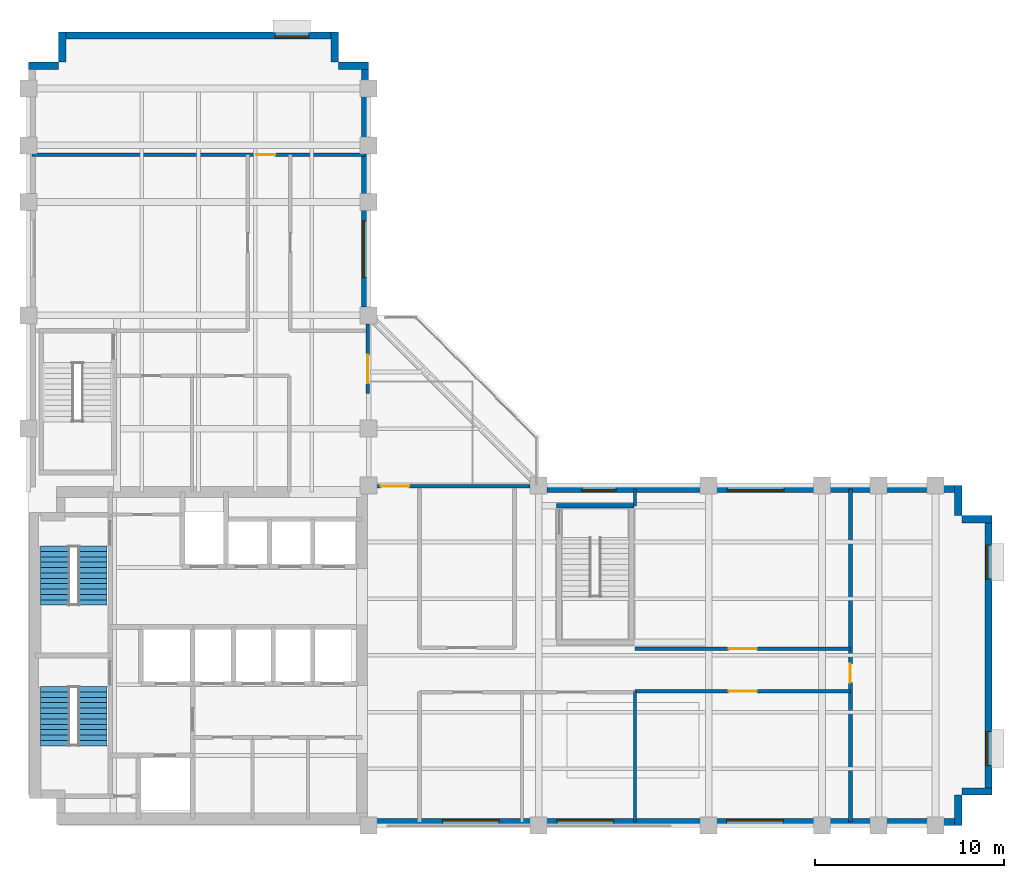
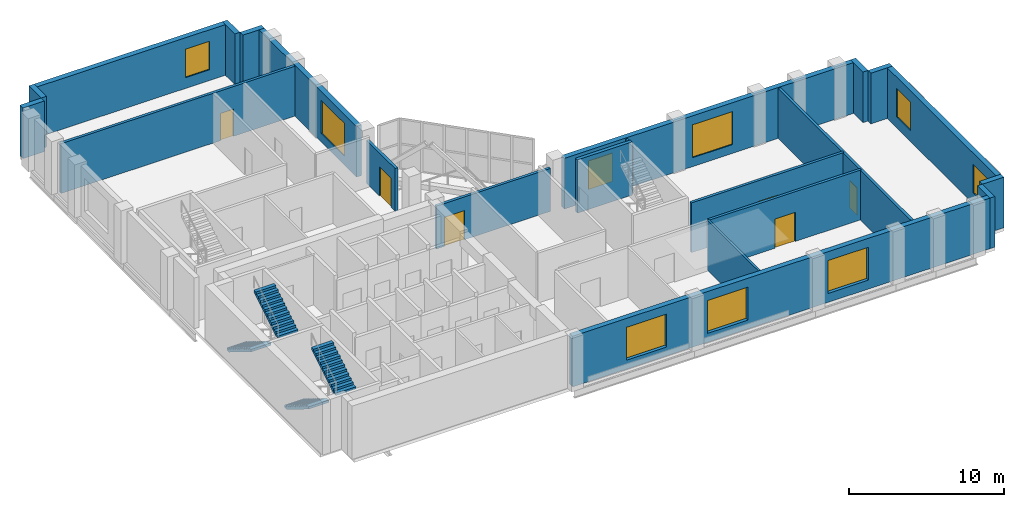
# One storey, part 7 of 9: 22 walls, 9 windows, 6 doors, 4 stair flights, 15 openings, 2 elements without a shape of their own.
"""IFC4 building model written with IfcOpenShell, lengths in metres."""

from ifc_helpers import new_model, si_unit, direction, frame, frame_2d, origin, place, context, subcontext, project, spatial, polyline, rectangle, outline, extrude, material, layer, layer_set, type_object, element, fill, aggregate, save


model = new_model("IFC4")

# Units and contexts
model_context = context("Model", 3, precision=1e-05, world=origin(), true_north=direction((0.0, 1.0)))
body_context = subcontext(model_context, "Body", "Model", "MODEL_VIEW")
ifc_project = project(units=[si_unit("LENGTHUNIT", "METRE"), si_unit("AREAUNIT", "SQUARE_METRE"), si_unit("VOLUMEUNIT", "CUBIC_METRE"), si_unit("PLANEANGLEUNIT", "RADIAN"), si_unit("MASSUNIT", "GRAM", prefix="KILO")], contexts=[model_context])

# Site, building, storey
site_placement = place(None, origin())
site = spatial("IfcSite", under=ifc_project, at=site_placement, CompositionType="ELEMENT")
building_placement = place(site_placement, origin())
building = spatial("IfcBuilding", under=site, at=building_placement, Name="Mawjdan Bourse Tower", CompositionType="ELEMENT")
storey_placement = place(building_placement, frame((0.0, 0.0, 160.199951171875)))
storey = spatial("IfcBuildingStorey", under=building, at=storey_placement, Name="L38", CompositionType="ELEMENT", Elevation=160.199951171875)

# Wall, openings, windows
ifc_material_1 = material(Name="Brick Masonry Terracotta Red", Category="masonry")
ifc_layer_1 = layer(ifc_material_1, 0.3798828125)
ifc_layer_set_1 = layer_set([ifc_layer_1], Name="Brick Masonry Terracotta Red")
wall_type_1 = type_object("IfcWallType", Name="WL-BRK-RED-380", PredefinedType="STANDARD", material=ifc_layer_set_1)
wall_1_placement = place(storey_placement, frame((23.89990234375, 3.18994140625, 0.0), z_axis=(0.0, 0.0, 1.0), x_axis=(1.0, 0.0, 0.0)))
wall_1 = element("IfcWall", 1, at=wall_1_placement, inside=storey, type_object=wall_type_1, Name="L38 Exterior Brick Wall 1", PredefinedType="STANDARD", context=body_context, shape_type="SweptSolid", body=[
    extrude(rectangle(XDim=31.5, YDim=0.3798828125, at=frame_2d((15.75, 0.0))), origin(), (0.0, 0.0, 1.0), 4.0),
])
opening_1_placement = place(wall_1_placement, frame((4.013916015625, 0.0, 0.699951171875)))
opening_1 = element("IfcOpeningElement", 2, at=opening_1_placement, cuts=wall_1, Name="Opening W-L38-05", PredefinedType="OPENING", context=body_context, shape_type="SweptSolid", body=[
    extrude(rectangle(XDim=3.0, YDim=2.60009765625, at=frame_2d((1.5, 1.300048828125))), frame((0.0, 0.199951171875, 0.0), z_axis=(0.0, -1.0, 0.0), x_axis=(1.0, 0.0, 0.0)), (0.0, 0.0, 1.0), 0.39990234375),
])
opening_2_placement = place(wall_1_placement, frame((10.063720703125, 0.0, 0.699951171875)))
opening_2 = element("IfcOpeningElement", 3, at=opening_2_placement, cuts=wall_1, Name="Opening W-L38-06", PredefinedType="OPENING", context=body_context, shape_type="SweptSolid", body=[
    extrude(rectangle(XDim=3.0, YDim=2.60009765625, at=frame_2d((1.5, 1.300048828125))), frame((0.0, 0.199951171875, 0.0), z_axis=(0.0, -1.0, 0.0), x_axis=(1.0, 0.0, 0.0)), (0.0, 0.0, 1.0), 0.39990234375),
])
opening_3_placement = place(wall_1_placement, frame((19.054443359375, 0.0, 0.699951171875)))
opening_3 = element("IfcOpeningElement", 4, at=opening_3_placement, cuts=wall_1, Name="Opening W-L38-07", PredefinedType="OPENING", context=body_context, shape_type="SweptSolid", body=[
    extrude(rectangle(XDim=3.0, YDim=2.60009765625, at=frame_2d((1.5, 1.300048828125))), frame((0.0, 0.199951171875, 0.0), z_axis=(0.0, -1.0, 0.0), x_axis=(1.0, 0.0, 0.0)), (0.0, 0.0, 1.0), 0.39990234375),
])
ifc_material_2 = material(Name="Solar-Control Clear Double Glazing", Category="glass")
window_type_1 = type_object("IfcWindowType", Name="WN-SKY-3000", PartitioningType="SINGLE_PANEL", PredefinedType="WINDOW", material=ifc_material_2)
window_1_placement = place(opening_1_placement, origin())
window_1 = element("IfcWindow", 5, at=window_1_placement, inside=storey, type_object=window_type_1, Name="L38 Deep-Set Masonry Window W-L38-05", OverallHeight=2.60009765625, OverallWidth=3.0, PartitioningType="SINGLE_PANEL", PredefinedType="WINDOW", context=body_context, shape_type="SweptSolid", body=[
    extrude(rectangle(XDim=3.0, YDim=2.60009765625, at=frame_2d((1.5, 1.300048828125))), frame((0.0, 0.110107421875, 0.0), z_axis=(0.0, -1.0, 0.0), x_axis=(1.0, 0.0, 0.0)), (0.0, 0.0, 1.0), 0.06005859375),
])
fill(opening_1, window_1)
window_2_placement = place(opening_2_placement, origin())
window_2 = element("IfcWindow", 6, at=window_2_placement, inside=storey, type_object=window_type_1, Name="L38 Deep-Set Masonry Window W-L38-06", OverallHeight=2.60009765625, OverallWidth=3.0, PartitioningType="SINGLE_PANEL", PredefinedType="WINDOW", context=body_context, shape_type="SweptSolid", body=[
    extrude(rectangle(XDim=3.0, YDim=2.60009765625, at=frame_2d((1.5, 1.300048828125))), frame((0.0, 0.110107421875, 0.0), z_axis=(0.0, -1.0, 0.0), x_axis=(1.0, 0.0, 0.0)), (0.0, 0.0, 1.0), 0.06005859375),
])
fill(opening_2, window_2)
window_3_placement = place(opening_3_placement, origin())
window_3 = element("IfcWindow", 7, at=window_3_placement, inside=storey, type_object=window_type_1, Name="L38 Deep-Set Masonry Window W-L38-07", OverallHeight=2.60009765625, OverallWidth=3.0, PartitioningType="SINGLE_PANEL", PredefinedType="WINDOW", context=body_context, shape_type="SweptSolid", body=[
    extrude(rectangle(XDim=3.0, YDim=2.60009765625, at=frame_2d((1.5, 1.300048828125))), frame((0.0, 0.110107421875, 0.0), z_axis=(0.0, -1.0, 0.0), x_axis=(1.0, 0.0, 0.0)), (0.0, 0.0, 1.0), 0.06005859375),
])
fill(opening_3, window_3)

# Walls
for number, where, z_axis, x_axis, name in (
    (8, (55.2099609375, 3.0, 0.0), (0.0, 0.0, 1.0), (0.0, 1.0, 0.0), "L38 Exterior Brick Wall 2"),
    (9, (55.39990234375, 4.7900390625, 0.0), (0.0, 0.0, 1.0), (1.0, 0.0, 0.0), "L38 Exterior Brick Wall 3"),
):
    element("IfcWall", number, at=place(storey_placement, frame(where, z_axis=z_axis, x_axis=x_axis)), inside=storey, type_object=wall_type_1, Name=name, PredefinedType="STANDARD", context=body_context, shape_type="SweptSolid", body=[
        extrude(rectangle(XDim=1.60009765625, YDim=0.3798828125, at=frame_2d((0.800048828125, 0.0))), origin(), (0.0, 0.0, 1.0), 4.0),
    ])

# Wall, openings, windows
wall_2_placement = place(storey_placement, frame((56.81005859375, 4.60009765625, 0.0), z_axis=(0.0, 0.0, 1.0), x_axis=(0.0, 1.0, 0.0)))
wall_2 = element("IfcWall", 10, at=wall_2_placement, inside=storey, type_object=wall_type_1, Name="L38 Exterior Brick Wall 4", PredefinedType="STANDARD", context=body_context, shape_type="SweptSolid", body=[
    extrude(rectangle(XDim=14.7998046875, YDim=0.3798828125, at=frame_2d((7.39990234375, 0.0))), origin(), (0.0, 0.0, 1.0), 4.0),
])
opening_4_placement = place(wall_2_placement, frame((1.566650390625, 0.0, 0.85009765625)))
opening_4 = element("IfcOpeningElement", 11, at=opening_4_placement, cuts=wall_2, Name="Opening W-L38-01", PredefinedType="OPENING", context=body_context, shape_type="SweptSolid", body=[
    extrude(rectangle(XDim=1.800048828125, YDim=2.25, at=frame_2d((0.89990234375, 1.125))), frame((0.0, 0.199951171875, 0.0), z_axis=(0.0, -1.0, 0.0), x_axis=(1.0, 0.0, 0.0)), (0.0, 0.0, 1.0), 0.39990234375),
])
opening_5_placement = place(wall_2_placement, frame((11.433349609375, 0.0, 0.85009765625)))
opening_5 = element("IfcOpeningElement", 12, at=opening_5_placement, cuts=wall_2, Name="Opening W-L38-02", PredefinedType="OPENING", context=body_context, shape_type="SweptSolid", body=[
    extrude(rectangle(XDim=1.800048828125, YDim=2.25, at=frame_2d((0.89990234375, 1.125))), frame((0.0, 0.199951171875, 0.0), z_axis=(0.0, -1.0, 0.0), x_axis=(1.0, 0.0, 0.0)), (0.0, 0.0, 1.0), 0.39990234375),
])
window_type_2 = type_object("IfcWindowType", Name="WN-Z2-1800", PartitioningType="SINGLE_PANEL", PredefinedType="WINDOW", material=ifc_material_2)
window_4_placement = place(opening_4_placement, origin())
window_4 = element("IfcWindow", 13, at=window_4_placement, inside=storey, type_object=window_type_2, Name="L38 Deep-Set Masonry Window W-L38-01", OverallHeight=2.25, OverallWidth=1.800048828125, PartitioningType="SINGLE_PANEL", PredefinedType="WINDOW", context=body_context, shape_type="SweptSolid", body=[
    extrude(rectangle(XDim=1.800048828125, YDim=2.25, at=frame_2d((0.89990234375, 1.125))), frame((0.0, 0.110107421875, 0.0), z_axis=(0.0, -1.0, 0.0), x_axis=(1.0, 0.0, 0.0)), (0.0, 0.0, 1.0), 0.06005859375),
])
fill(opening_4, window_4)
window_5_placement = place(opening_5_placement, origin())
window_5 = element("IfcWindow", 14, at=window_5_placement, inside=storey, type_object=window_type_2, Name="L38 Deep-Set Masonry Window W-L38-02", OverallHeight=2.25, OverallWidth=1.800048828125, PartitioningType="SINGLE_PANEL", PredefinedType="WINDOW", context=body_context, shape_type="SweptSolid", body=[
    extrude(rectangle(XDim=1.800048828125, YDim=2.25, at=frame_2d((0.89990234375, 1.125))), frame((0.0, 0.110107421875, 0.0), z_axis=(0.0, -1.0, 0.0), x_axis=(1.0, 0.0, 0.0)), (0.0, 0.0, 1.0), 0.06005859375),
])
fill(opening_5, window_5)

# Walls
for number, where, z_axis, x_axis, name in (
    (15, (57.0, 19.2099609375, 0.0), (0.0, 0.0, 1.0), (-1.0, 0.0, 0.0), "L38 Exterior Brick Wall 5"),
    (16, (55.2099609375, 19.39990234375, 0.0), (0.0, 0.0, 1.0), (0.0, 1.0, 0.0), "L38 Exterior Brick Wall 6"),
):
    element("IfcWall", number, at=place(storey_placement, frame(where, z_axis=z_axis, x_axis=x_axis)), inside=storey, type_object=wall_type_1, Name=name, PredefinedType="STANDARD", context=body_context, shape_type="SweptSolid", body=[
        extrude(rectangle(XDim=1.60009765625, YDim=0.3798828125, at=frame_2d((0.800048828125, 0.0))), origin(), (0.0, 0.0, 1.0), 4.0),
    ])

# Wall, openings, windows
wall_3_placement = place(storey_placement, frame((55.39990234375, 20.81005859375, 0.0), z_axis=(0.0, 0.0, 1.0), x_axis=(-1.0, 0.0, 0.0)))
wall_3 = element("IfcWall", 17, at=wall_3_placement, inside=storey, type_object=wall_type_1, Name="L38 Exterior Brick Wall 7", PredefinedType="STANDARD", context=body_context, shape_type="SweptSolid", body=[
    extrude(rectangle(XDim=21.949951171875, YDim=0.3798828125, at=frame_2d((10.97509765625, 0.0))), origin(), (0.0, 0.0, 1.0), 4.0),
])
opening_6_placement = place(wall_3_placement, frame((18.30615234375, 0.0, 0.85009765625)))
opening_6 = element("IfcOpeningElement", 18, at=opening_6_placement, cuts=wall_3, Name="Opening W-L38-03", PredefinedType="OPENING", context=body_context, shape_type="SweptSolid", body=[
    extrude(rectangle(XDim=1.800048828125, YDim=2.25, at=frame_2d((0.89990234375, 1.125))), frame((0.0, 0.199951171875, 0.0), z_axis=(0.0, -1.0, 0.0), x_axis=(1.0, 0.0, 0.0)), (0.0, 0.0, 1.0), 0.39990234375),
])
opening_7_placement = place(wall_3_placement, frame((9.404296875, 0.0, 0.699951171875)))
opening_7 = element("IfcOpeningElement", 19, at=opening_7_placement, cuts=wall_3, Name="Opening W-L38-08", PredefinedType="OPENING", context=body_context, shape_type="SweptSolid", body=[
    extrude(rectangle(XDim=3.0, YDim=2.60009765625, at=frame_2d((1.5, 1.300048828125))), frame((0.0, 0.199951171875, 0.0), z_axis=(0.0, -1.0, 0.0), x_axis=(1.0, 0.0, 0.0)), (0.0, 0.0, 1.0), 0.39990234375),
])
window_6_placement = place(opening_7_placement, origin())
window_6 = element("IfcWindow", 20, at=window_6_placement, inside=storey, type_object=window_type_1, Name="L38 Deep-Set Masonry Window W-L38-08", OverallHeight=2.60009765625, OverallWidth=3.0, PartitioningType="SINGLE_PANEL", PredefinedType="WINDOW", context=body_context, shape_type="SweptSolid", body=[
    extrude(rectangle(XDim=3.0, YDim=2.60009765625, at=frame_2d((1.5, 1.300048828125))), frame((0.0, 0.110107421875, 0.0), z_axis=(0.0, -1.0, 0.0), x_axis=(1.0, 0.0, 0.0)), (0.0, 0.0, 1.0), 0.06005859375),
])
fill(opening_7, window_6)
window_7_placement = place(opening_6_placement, origin())
window_7 = element("IfcWindow", 21, at=window_7_placement, inside=storey, type_object=window_type_2, Name="L38 Deep-Set Masonry Window W-L38-03", OverallHeight=2.25, OverallWidth=1.800048828125, PartitioningType="SINGLE_PANEL", PredefinedType="WINDOW", context=body_context, shape_type="SweptSolid", body=[
    extrude(rectangle(XDim=1.800048828125, YDim=2.25, at=frame_2d((0.89990234375, 1.125))), frame((0.0, 0.110107421875, 0.0), z_axis=(0.0, -1.0, 0.0), x_axis=(1.0, 0.0, 0.0)), (0.0, 0.0, 1.0), 0.06005859375),
])
fill(opening_6, window_7)

# Wall, opening, window
wall_4_placement = place(storey_placement, frame((23.81005859375, 30.449951171875, 0.0), z_axis=(0.0, 0.0, 1.0), x_axis=(0.0, 1.0, 0.0)))
wall_4 = element("IfcWall", 22, at=wall_4_placement, inside=storey, type_object=wall_type_1, Name="L38 Exterior Brick Wall 8", PredefinedType="STANDARD", context=body_context, shape_type="SweptSolid", body=[
    extrude(rectangle(XDim=12.949951171875, YDim=0.3798828125, at=frame_2d((6.47509765625, 0.0))), origin(), (0.0, 0.0, 1.0), 4.0),
])
opening_8_placement = place(wall_4_placement, frame((1.550048828125, 0.0, 0.699951171875)))
opening_8 = element("IfcOpeningElement", 23, at=opening_8_placement, cuts=wall_4, Name="Opening W-L38-10", PredefinedType="OPENING", context=body_context, shape_type="SweptSolid", body=[
    extrude(rectangle(XDim=3.0, YDim=2.60009765625, at=frame_2d((1.5, 1.300048828125))), frame((0.0, 0.199951171875, 0.0), z_axis=(0.0, -1.0, 0.0), x_axis=(1.0, 0.0, 0.0)), (0.0, 0.0, 1.0), 0.39990234375),
])
window_8_placement = place(opening_8_placement, origin())
window_8 = element("IfcWindow", 24, at=window_8_placement, inside=storey, type_object=window_type_1, Name="L38 Deep-Set Masonry Window W-L38-10", OverallHeight=2.60009765625, OverallWidth=3.0, PartitioningType="SINGLE_PANEL", PredefinedType="WINDOW", context=body_context, shape_type="SweptSolid", body=[
    extrude(rectangle(XDim=3.0, YDim=2.60009765625, at=frame_2d((1.5, 1.300048828125))), frame((0.0, 0.110107421875, 0.0), z_axis=(0.0, -1.0, 0.0), x_axis=(1.0, 0.0, 0.0)), (0.0, 0.0, 1.0), 0.06005859375),
])
fill(opening_8, window_8)

# Walls
for number, where, z_axis, x_axis, name in (
    (25, (24.0, 43.2099609375, 0.0), (0.0, 0.0, 1.0), (-1.0, 0.0, 0.0), "L38 Exterior Brick Wall 9"),
    (26, (22.2099609375, 43.39990234375, 0.0), (0.0, 0.0, 1.0), (0.0, 1.0, 0.0), "L38 Exterior Brick Wall 10"),
):
    element("IfcWall", number, at=place(storey_placement, frame(where, z_axis=z_axis, x_axis=x_axis)), inside=storey, type_object=wall_type_1, Name=name, PredefinedType="STANDARD", context=body_context, shape_type="SweptSolid", body=[
        extrude(rectangle(XDim=1.60009765625, YDim=0.3798828125, at=frame_2d((0.800048828125, 0.0))), origin(), (0.0, 0.0, 1.0), 4.0),
    ])

# Wall, opening, window
wall_5_placement = place(storey_placement, frame((22.39990234375, 44.81005859375, 0.0), z_axis=(0.0, 0.0, 1.0), x_axis=(-1.0, 0.0, 0.0)))
wall_5 = element("IfcWall", 27, at=wall_5_placement, inside=storey, type_object=wall_type_1, Name="L38 Exterior Brick Wall 11", PredefinedType="STANDARD", context=body_context, shape_type="SweptSolid", body=[
    extrude(rectangle(XDim=14.7998046875, YDim=0.3798828125, at=frame_2d((7.39990234375, 0.0))), origin(), (0.0, 0.0, 1.0), 4.0),
])
opening_9_placement = place(wall_5_placement, frame((1.566650390625, 0.0, 0.85009765625)))
opening_9 = element("IfcOpeningElement", 28, at=opening_9_placement, cuts=wall_5, Name="Opening W-L38-04", PredefinedType="OPENING", context=body_context, shape_type="SweptSolid", body=[
    extrude(rectangle(XDim=1.800048828125, YDim=2.25, at=frame_2d((0.89990234375, 1.125))), frame((0.0, 0.199951171875, 0.0), z_axis=(0.0, -1.0, 0.0), x_axis=(1.0, 0.0, 0.0)), (0.0, 0.0, 1.0), 0.39990234375),
])
window_9_placement = place(opening_9_placement, origin())
window_9 = element("IfcWindow", 29, at=window_9_placement, inside=storey, type_object=window_type_2, Name="L38 Deep-Set Masonry Window W-L38-04", OverallHeight=2.25, OverallWidth=1.800048828125, PartitioningType="SINGLE_PANEL", PredefinedType="WINDOW", context=body_context, shape_type="SweptSolid", body=[
    extrude(rectangle(XDim=1.800048828125, YDim=2.25, at=frame_2d((0.89990234375, 1.125))), frame((0.0, 0.110107421875, 0.0), z_axis=(0.0, -1.0, 0.0), x_axis=(1.0, 0.0, 0.0)), (0.0, 0.0, 1.0), 0.06005859375),
])
fill(opening_9, window_9)

# Walls
for number, where, z_axis, x_axis, name in (
    (30, (7.7900390625, 45.0, 0.0), (0.0, 0.0, 1.0), (0.0, -1.0, 0.0), "L38 Exterior Brick Wall 12"),
    (31, (7.60009765625, 43.2099609375, 0.0), (0.0, 0.0, 1.0), (-1.0, 0.0, 0.0), "L38 Exterior Brick Wall 13"),
):
    element("IfcWall", number, at=place(storey_placement, frame(where, z_axis=z_axis, x_axis=x_axis)), inside=storey, type_object=wall_type_1, Name=name, PredefinedType="STANDARD", context=body_context, shape_type="SweptSolid", body=[
        extrude(rectangle(XDim=1.60009765625, YDim=0.3798828125, at=frame_2d((0.800048828125, 0.0))), origin(), (0.0, 0.0, 1.0), 4.0),
    ])

# Wall, opening, door
ifc_material_3 = material(Name="Gypsum Fireboard Assembly")
ifc_layer_2 = layer(ifc_material_3, 0.199951171875)
ifc_layer_set_2 = layer_set([ifc_layer_2], Name="Gypsum Fireboard Assembly")
wall_type_2 = type_object("IfcWallType", Name="WL-CMP-200", PredefinedType="PARTITIONING", material=ifc_layer_set_2)
wall_6_placement = place(storey_placement, frame((23.949951171875, 25.85009765625, 0.0), z_axis=(0.0, 0.0, 1.0), x_axis=(0.0, 1.0, 0.0)))
wall_6 = element("IfcWall", 32, at=wall_6_placement, inside=storey, type_object=wall_type_2, Name="L38 Sky Bridge West Portal Wall", PredefinedType="PARTITIONING", context=body_context, shape_type="SweptSolid", body=[
    extrude(rectangle(XDim=3.699951171875, YDim=0.199951171875, at=frame_2d((1.85009765625, 0.0))), origin(), (0.0, 0.0, 1.0), 3.385986328125),
])
opening_10_placement = place(wall_6_placement, frame((0.550048828125, 0.0, 0.0)))
opening_10 = element("IfcOpeningElement", 33, at=opening_10_placement, cuts=wall_6, Name="Opening BD-L38-23", PredefinedType="OPENING", context=body_context, shape_type="SweptSolid", body=[
    extrude(rectangle(XDim=1.5, YDim=2.300048828125, at=frame_2d((0.75, 1.14990234375))), frame((0.0, 0.10986328125, 0.0), z_axis=(0.0, -1.0, 0.0), x_axis=(1.0, 0.0, 0.0)), (0.0, 0.0, 1.0), 0.219970703125),
])
ifc_material_4 = material(Name="Acoustic Glazed Timber", Category="wood")
door_type_1 = type_object("IfcDoorType", Name="DR-CNF-1500", OperationType="DOUBLE_DOOR_SINGLE_SWING", PredefinedType="DOOR", material=ifc_material_4)
door_1_placement = place(opening_10_placement, origin())
door_1 = element("IfcDoor", 34, at=door_1_placement, inside=storey, type_object=door_type_1, Name="L38 Sky Bridge West Portal Door BD-L38-23", OperationType="DOUBLE_DOOR_SINGLE_SWING", OverallHeight=2.300048828125, OverallWidth=1.5, PredefinedType="DOOR", context=body_context, shape_type="SweptSolid", body=[
    extrude(rectangle(XDim=1.5, YDim=2.300048828125, at=frame_2d((0.75, 1.14990234375))), frame((0.0, 0.02490234375, 0.0), z_axis=(0.0, -1.0, 0.0), x_axis=(1.0, 0.0, 0.0)), (0.0, 0.0, 1.0), 0.050048828125),
])
fill(opening_10, door_1)

wall_7_placement = place(storey_placement, frame((24.050048828125, 20.949951171875, 0.0), z_axis=(0.0, 0.0, 1.0), x_axis=(1.0, 0.0, 0.0)))
wall_7 = element("IfcWall", 35, at=wall_7_placement, inside=storey, type_object=wall_type_2, Name="L38 Sky Bridge South Portal Wall", PredefinedType="PARTITIONING", context=body_context, shape_type="SweptSolid", body=[
    extrude(rectangle(XDim=8.5, YDim=0.199951171875, at=frame_2d((4.25, 0.0))), origin(), (0.0, 0.0, 1.0), 3.385986328125),
])
opening_11_placement = place(wall_7_placement, frame((0.60009765625, 0.0, 0.0)))
opening_11 = element("IfcOpeningElement", 36, at=opening_11_placement, cuts=wall_7, Name="Opening BD-L38-24", PredefinedType="OPENING", context=body_context, shape_type="SweptSolid", body=[
    extrude(rectangle(XDim=1.5, YDim=2.300048828125, at=frame_2d((0.75, 1.14990234375))), frame((0.0, 0.10986328125, 0.0), z_axis=(0.0, -1.0, 0.0), x_axis=(1.0, 0.0, 0.0)), (0.0, 0.0, 1.0), 0.219970703125),
])
door_2_placement = place(opening_11_placement, origin())
door_2 = element("IfcDoor", 37, at=door_2_placement, inside=storey, type_object=door_type_1, Name="L38 Sky Bridge South Portal Door BD-L38-24", OperationType="DOUBLE_DOOR_SINGLE_SWING", OverallHeight=2.300048828125, OverallWidth=1.5, PredefinedType="DOOR", context=body_context, shape_type="SweptSolid", body=[
    extrude(rectangle(XDim=1.5, YDim=2.300048828125, at=frame_2d((0.75, 1.14990234375))), frame((0.0, 0.02490234375, 0.0), z_axis=(0.0, -1.0, 0.0), x_axis=(1.0, 0.0, 0.0)), (0.0, 0.0, 1.0), 0.050048828125),
])
fill(opening_11, door_2)

wall_8_placement = place(storey_placement, frame((38.10009765625, 10.10009765625, 0.0), z_axis=(0.0, 0.0, 1.0), x_axis=(1.0, 0.0, 0.0)))
wall_8 = element("IfcWall", 38, at=wall_8_placement, inside=storey, type_object=wall_type_2, Name="L38 Sky Lobby Corridor Wall", PredefinedType="PARTITIONING", context=body_context, shape_type="SweptSolid", body=[
    extrude(rectangle(XDim=11.39990234375, YDim=0.199951171875, at=frame_2d((5.699951171875, 0.0))), origin(), (0.0, 0.0, 1.0), 3.929931640625),
])
opening_12_placement = place(wall_8_placement, frame((4.949951171875, 0.0, 0.0)))
opening_12 = element("IfcOpeningElement", 39, at=opening_12_placement, cuts=wall_8, Name="Opening D-L38-28", PredefinedType="OPENING", context=body_context, shape_type="SweptSolid", body=[
    extrude(rectangle(XDim=1.5, YDim=2.300048828125, at=frame_2d((0.75, 1.14990234375))), frame((0.0, 0.10986328125, 0.0), z_axis=(0.0, -1.0, 0.0), x_axis=(1.0, 0.0, 0.0)), (0.0, 0.0, 1.0), 0.219970703125),
])
door_3_placement = place(opening_12_placement, origin())
door_3 = element("IfcDoor", 40, at=door_3_placement, inside=storey, type_object=door_type_1, Name="L38 Sky Lobby Door D-L38-28", OperationType="DOUBLE_DOOR_SINGLE_SWING", OverallHeight=2.300048828125, OverallWidth=1.5, PredefinedType="DOOR", context=body_context, shape_type="SweptSolid", body=[
    extrude(rectangle(XDim=1.5, YDim=2.300048828125, at=frame_2d((0.75, 1.14990234375))), frame((0.0, 0.02490234375, 0.0), z_axis=(0.0, -1.0, 0.0), x_axis=(1.0, 0.0, 0.0)), (0.0, 0.0, 1.0), 0.050048828125),
])
fill(opening_12, door_3)

wall_9_placement = place(storey_placement, frame((38.10009765625, 12.35009765625, 0.0), z_axis=(0.0, 0.0, 1.0), x_axis=(1.0, 0.0, 0.0)))
wall_9 = element("IfcWall", 41, at=wall_9_placement, inside=storey, type_object=wall_type_2, Name="L38 Conference Room Corridor Wall", PredefinedType="PARTITIONING", context=body_context, shape_type="SweptSolid", body=[
    extrude(rectangle(XDim=11.39990234375, YDim=0.199951171875, at=frame_2d((5.699951171875, 0.0))), origin(), (0.0, 0.0, 1.0), 3.929931640625),
])
opening_13_placement = place(wall_9_placement, frame((4.949951171875, 0.0, 0.0)))
opening_13 = element("IfcOpeningElement", 42, at=opening_13_placement, cuts=wall_9, Name="Opening D-L38-29", PredefinedType="OPENING", context=body_context, shape_type="SweptSolid", body=[
    extrude(rectangle(XDim=1.5, YDim=2.300048828125, at=frame_2d((0.75, 1.14990234375))), frame((0.0, 0.10986328125, 0.0), z_axis=(0.0, -1.0, 0.0), x_axis=(1.0, 0.0, 0.0)), (0.0, 0.0, 1.0), 0.219970703125),
])
door_4_placement = place(opening_13_placement, origin())
door_4 = element("IfcDoor", 43, at=door_4_placement, inside=storey, type_object=door_type_1, Name="L38 Conference Room Door D-L38-29", OperationType="DOUBLE_DOOR_SINGLE_SWING", OverallHeight=2.300048828125, OverallWidth=1.5, PredefinedType="DOOR", context=body_context, shape_type="SweptSolid", body=[
    extrude(rectangle(XDim=1.5, YDim=2.300048828125, at=frame_2d((0.75, 1.14990234375))), frame((0.0, 0.02490234375, 0.0), z_axis=(0.0, -1.0, 0.0), x_axis=(1.0, 0.0, 0.0)), (0.0, 0.0, 1.0), 0.050048828125),
])
fill(opening_13, door_4)

wall_10_placement = place(storey_placement, frame((49.5, 3.179931640625, 0.0), z_axis=(0.0, 0.0, 1.0), x_axis=(0.0, 1.0, 0.0)))
wall_10 = element("IfcWall", 44, at=wall_10_placement, inside=storey, type_object=wall_type_2, Name="L38 East Tip Full Cross Wall", PredefinedType="PARTITIONING", context=body_context, shape_type="SweptSolid", body=[
    extrude(rectangle(XDim=17.64013671875, YDim=0.199951171875, at=frame_2d((8.820068359375, 0.0))), origin(), (0.0, 0.0, 1.0), 3.929931640625),
])
opening_14_placement = place(wall_10_placement, frame((7.375, 0.0, 0.0)))
opening_14 = element("IfcOpeningElement", 45, at=opening_14_placement, cuts=wall_10, Name="Opening D-L38-30", PredefinedType="OPENING", context=body_context, shape_type="SweptSolid", body=[
    extrude(rectangle(XDim=1.0, YDim=2.14990234375, at=frame_2d((0.5, 1.074951171875))), frame((0.0, 0.10986328125, 0.0), z_axis=(0.0, -1.0, 0.0), x_axis=(1.0, 0.0, 0.0)), (0.0, 0.0, 1.0), 0.219970703125),
])
ifc_material_5 = material(Name="Hardwood Acoustic Leaf", Category="wood")
door_type_2 = type_object("IfcDoorType", Name="DR-OFC-1000", OperationType="NOTDEFINED", PredefinedType="DOOR", material=ifc_material_5)
door_5_placement = place(opening_14_placement, origin())
door_5 = element("IfcDoor", 46, at=door_5_placement, inside=storey, type_object=door_type_2, Name="L38 East Tip Hall Door D-L38-30", OperationType="SINGLE_SWING_LEFT", OverallHeight=2.14990234375, OverallWidth=1.0, PredefinedType="DOOR", context=body_context, shape_type="SweptSolid", body=[
    extrude(rectangle(XDim=1.0, YDim=2.14990234375, at=frame_2d((0.5, 1.074951171875))), frame((0.0, 0.02490234375, 0.0), z_axis=(0.0, -1.0, 0.0), x_axis=(1.0, 0.0, 0.0)), (0.0, 0.0, 1.0), 0.050048828125),
])
fill(opening_14, door_5)

wall_11_placement = place(storey_placement, frame((6.179931640625, 38.5, 0.0), z_axis=(0.0, 0.0, 1.0), x_axis=(1.0, 0.0, 0.0)))
wall_11 = element("IfcWall", 47, at=wall_11_placement, inside=storey, type_object=wall_type_2, Name="L38 North Tip Full Cross Wall", PredefinedType="PARTITIONING", context=body_context, shape_type="SweptSolid", body=[
    extrude(rectangle(XDim=17.64013671875, YDim=0.199951171875, at=frame_2d((8.820068359375, 0.0))), origin(), (0.0, 0.0, 1.0), 3.929931640625),
])
opening_15_placement = place(wall_11_placement, frame((11.875, 0.0, 0.0)))
opening_15 = element("IfcOpeningElement", 48, at=opening_15_placement, cuts=wall_11, Name="Opening D-L38-35", PredefinedType="OPENING", context=body_context, shape_type="SweptSolid", body=[
    extrude(rectangle(XDim=1.0, YDim=2.14990234375, at=frame_2d((0.5, 1.074951171875))), frame((0.0, 0.10986328125, 0.0), z_axis=(0.0, -1.0, 0.0), x_axis=(1.0, 0.0, 0.0)), (0.0, 0.0, 1.0), 0.219970703125),
])
door_6_placement = place(opening_15_placement, origin())
door_6 = element("IfcDoor", 49, at=door_6_placement, inside=storey, type_object=door_type_2, Name="L38 North Tip Suite Door D-L38-35", OperationType="SINGLE_SWING_RIGHT", OverallHeight=2.14990234375, OverallWidth=1.0, PredefinedType="DOOR", context=body_context, shape_type="SweptSolid", body=[
    extrude(rectangle(XDim=1.0, YDim=2.14990234375, at=frame_2d((0.5, 1.074951171875))), frame((0.0, 0.02490234375, 0.0), z_axis=(0.0, -1.0, 0.0), x_axis=(1.0, 0.0, 0.0)), (0.0, 0.0, 1.0), 0.050048828125),
])
fill(opening_15, door_6)

# Walls
ifc_material_6 = material(Name="Gypsum Acoustic Partition")
ifc_layer_3 = layer(ifc_material_6, 0.14990234375)
ifc_layer_set_3 = layer_set([ifc_layer_3], Name="Gypsum Acoustic Partition")
wall_type_3 = type_object("IfcWallType", Name="WL-PRT-150", PredefinedType="PARTITIONING", material=ifc_layer_set_3)
wall_12_placement = place(storey_placement, frame((38.10009765625, 19.919921875, 0.0), z_axis=(0.0, 0.0, 1.0), x_axis=(0.0, 1.0, 0.0)))
element("IfcWall", 50, at=wall_12_placement, inside=storey, type_object=wall_type_3, Name="L38 Sky Lobby ST5B North Return", PredefinedType="PARTITIONING", context=body_context, shape_type="SweptSolid", body=[
    extrude(rectangle(XDim=0.900146484375, YDim=0.14990234375, at=frame_2d((0.4501953125, 0.0))), origin(), (0.0, 0.0, 1.0), 3.929931640625),
])
wall_13_placement = place(storey_placement, frame((38.10009765625, 3.179931640625, 0.0), z_axis=(0.0, 0.0, 1.0), x_axis=(0.0, 1.0, 0.0)))
element("IfcWall", 51, at=wall_13_placement, inside=storey, type_object=wall_type_3, Name="L38 Sky Lobby ST5B South Return", PredefinedType="PARTITIONING", context=body_context, shape_type="SweptSolid", body=[
    extrude(rectangle(XDim=6.920166015625, YDim=0.14990234375, at=frame_2d((3.4599609375, 0.0))), origin(), (0.0, 0.0, 1.0), 3.929931640625),
])
ifc_material_7 = material(Name="Concrete C50/60", Category="concrete")
ifc_layer_4 = layer(ifc_material_7, 0.25)
ifc_layer_set_4 = layer_set([ifc_layer_4], Name="Concrete C50/60")
wall_type_4 = type_object("IfcWallType", Name="WL-STRW-250", PredefinedType="SHEAR", material=ifc_layer_set_4)
wall_14_placement = place(storey_placement, frame((33.955078125, 19.919921875, 0.0), z_axis=(0.0, 0.0, 1.0), x_axis=(1.0, 0.0, 0.0)))
element("IfcWall", 52, at=wall_14_placement, inside=storey, type_object=wall_type_4, Name="L38 ST5B North Shaft Wall", PredefinedType="SHEAR", context=body_context, shape_type="SweptSolid", body=[
    extrude(rectangle(XDim=4.08984375, YDim=0.25, at=frame_2d((2.044921875, 0.0))), origin(), (0.0, 0.0, 1.0), 4.199951171875),
])

# Stair, stair flights
stair_type = type_object("IfcStairType", Name="STR-CORE-1500", PredefinedType="HALF_TURN_STAIR", material=ifc_material_7)
stair_1_placement = place(storey_placement, origin())
stair_1 = element("IfcStair", 53, at=stair_1_placement, inside=storey, type_object=stair_type, Name="L38 Exit Stair 1 (Core South-West)", PredefinedType="HALF_TURN_STAIR")
stair_flight_type = type_object("IfcStairFlightType", Name="SFL-RC-1500", PredefinedType="STRAIGHT", material=ifc_material_7)
stair_flight_1_placement = place(storey_placement, frame((7.389892578125, 10.35009765625, 0.0), z_axis=(0.0, 0.0, 1.0), x_axis=(0.0, -1.0, 0.0)))
stair_flight_1 = element("IfcStairFlight", 54, at=stair_flight_1_placement, type_object=stair_flight_type, Name="ST1-L38 flight 1", NumberOfRisers=12, NumberOfTreads=11, PredefinedType="STRAIGHT", RiserHeight=0.175, TreadLength=0.285, context=body_context, shape_type="SweptSolid", body=[
    extrude(outline(polyline([(0.0, 0.0), (0.0, 0.175048828125), (0.284912109375, 0.175048828125), (0.284912109375, 0.35009765625), (0.570068359375, 0.35009765625), (0.570068359375, 0.52490234375), (0.85498046875, 0.52490234375), (0.85498046875, 0.699951171875), (1.139892578125, 0.699951171875), (1.139892578125, 0.875), (1.425048828125, 0.875), (1.425048828125, 1.050048828125), (1.7099609375, 1.050048828125), (1.7099609375, 1.22509765625), (1.9951171875, 1.22509765625), (1.9951171875, 1.39990234375), (2.280029296875, 1.39990234375), (2.280029296875, 1.574951171875), (2.56494140625, 1.574951171875), (2.56494140625, 1.75), (2.85009765625, 1.75), (2.85009765625, 1.925048828125), (3.135009765625, 1.925048828125), (3.135009765625, 2.10009765625), (3.135009765625, 1.7373046875), (0.3056640625, 0.0), (0.0, 0.0)])), frame((0.0, 0.75, 0.0), z_axis=(0.0, -1.0, 0.0), x_axis=(1.0, 0.0, 0.0)), (0.0, 0.0, 1.0), 1.5),
])
stair_flight_2_placement = place(storey_placement, frame((9.409912109375, 7.215087890625, 2.10009765625), z_axis=(0.0, 0.0, 1.0), x_axis=(0.0, 1.0, 0.0)))
stair_flight_2 = element("IfcStairFlight", 55, at=stair_flight_2_placement, type_object=stair_flight_type, Name="ST1-L38 flight 2", NumberOfRisers=12, NumberOfTreads=11, PredefinedType="STRAIGHT", RiserHeight=0.175, TreadLength=0.285, context=body_context, shape_type="SweptSolid", body=[
    extrude(outline(polyline([(0.0, 0.0), (0.0, 0.175048828125), (0.284912109375, 0.175048828125), (0.284912109375, 0.35009765625), (0.570068359375, 0.35009765625), (0.570068359375, 0.52490234375), (0.85498046875, 0.52490234375), (0.85498046875, 0.699951171875), (1.139892578125, 0.699951171875), (1.139892578125, 0.875), (1.425048828125, 0.875), (1.425048828125, 1.050048828125), (1.7099609375, 1.050048828125), (1.7099609375, 1.22509765625), (1.9951171875, 1.22509765625), (1.9951171875, 1.39990234375), (2.280029296875, 1.39990234375), (2.280029296875, 1.574951171875), (2.56494140625, 1.574951171875), (2.56494140625, 1.75), (2.85009765625, 1.75), (2.85009765625, 1.925048828125), (3.135009765625, 1.925048828125), (3.135009765625, 2.10009765625), (3.135009765625, 1.7373046875), (0.3056640625, 0.0), (0.0, 0.0)])), frame((0.0, 0.75, 0.0), z_axis=(0.0, -1.0, 0.0), x_axis=(1.0, 0.0, 0.0)), (0.0, 0.0, 1.0), 1.5),
])
aggregate(stair_1, [stair_flight_1, stair_flight_2])

stair_2_placement = place(storey_placement, origin())
stair_2 = element("IfcStair", 56, at=stair_2_placement, inside=storey, type_object=stair_type, Name="L38 Exit Stair 2 (Core North-West)", PredefinedType="HALF_TURN_STAIR")
stair_flight_3_placement = place(storey_placement, frame((7.389892578125, 17.7900390625, 0.0), z_axis=(0.0, 0.0, 1.0), x_axis=(0.0, -1.0, 0.0)))
stair_flight_3 = element("IfcStairFlight", 57, at=stair_flight_3_placement, type_object=stair_flight_type, Name="ST2-L38 flight 1", NumberOfRisers=12, NumberOfTreads=11, PredefinedType="STRAIGHT", RiserHeight=0.175, TreadLength=0.285, context=body_context, shape_type="SweptSolid", body=[
    extrude(outline(polyline([(0.0, 0.0), (0.0, 0.175048828125), (0.284912109375, 0.175048828125), (0.284912109375, 0.35009765625), (0.570068359375, 0.35009765625), (0.570068359375, 0.52490234375), (0.85498046875, 0.52490234375), (0.85498046875, 0.699951171875), (1.139892578125, 0.699951171875), (1.139892578125, 0.875), (1.425048828125, 0.875), (1.425048828125, 1.050048828125), (1.7099609375, 1.050048828125), (1.7099609375, 1.22509765625), (1.9951171875, 1.22509765625), (1.9951171875, 1.39990234375), (2.280029296875, 1.39990234375), (2.280029296875, 1.574951171875), (2.56494140625, 1.574951171875), (2.56494140625, 1.75), (2.85009765625, 1.75), (2.85009765625, 1.925048828125), (3.135009765625, 1.925048828125), (3.135009765625, 2.10009765625), (3.135009765625, 1.7373046875), (0.3056640625, 0.0), (0.0, 0.0)])), frame((0.0, 0.75, 0.0), z_axis=(0.0, -1.0, 0.0), x_axis=(1.0, 0.0, 0.0)), (0.0, 0.0, 1.0), 1.5),
])
stair_flight_4_placement = place(storey_placement, frame((9.409912109375, 14.655029296875, 2.10009765625), z_axis=(0.0, 0.0, 1.0), x_axis=(0.0, 1.0, 0.0)))
stair_flight_4 = element("IfcStairFlight", 58, at=stair_flight_4_placement, type_object=stair_flight_type, Name="ST2-L38 flight 2", NumberOfRisers=12, NumberOfTreads=11, PredefinedType="STRAIGHT", RiserHeight=0.175, TreadLength=0.285, context=body_context, shape_type="SweptSolid", body=[
    extrude(outline(polyline([(0.0, 0.0), (0.0, 0.175048828125), (0.284912109375, 0.175048828125), (0.284912109375, 0.35009765625), (0.570068359375, 0.35009765625), (0.570068359375, 0.52490234375), (0.85498046875, 0.52490234375), (0.85498046875, 0.699951171875), (1.139892578125, 0.699951171875), (1.139892578125, 0.875), (1.425048828125, 0.875), (1.425048828125, 1.050048828125), (1.7099609375, 1.050048828125), (1.7099609375, 1.22509765625), (1.9951171875, 1.22509765625), (1.9951171875, 1.39990234375), (2.280029296875, 1.39990234375), (2.280029296875, 1.574951171875), (2.56494140625, 1.574951171875), (2.56494140625, 1.75), (2.85009765625, 1.75), (2.85009765625, 1.925048828125), (3.135009765625, 1.925048828125), (3.135009765625, 2.10009765625), (3.135009765625, 1.7373046875), (0.3056640625, 0.0), (0.0, 0.0)])), frame((0.0, 0.75, 0.0), z_axis=(0.0, -1.0, 0.0), x_axis=(1.0, 0.0, 0.0)), (0.0, 0.0, 1.0), 1.5),
])
aggregate(stair_2, [stair_flight_3, stair_flight_4])

save(model, "model.ifc")
